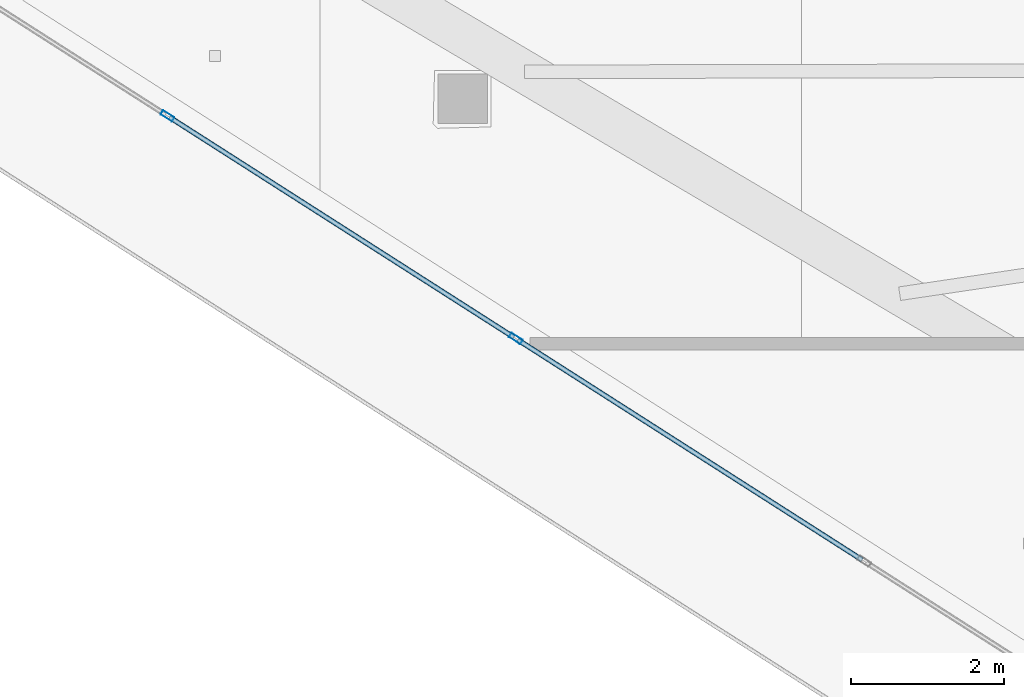
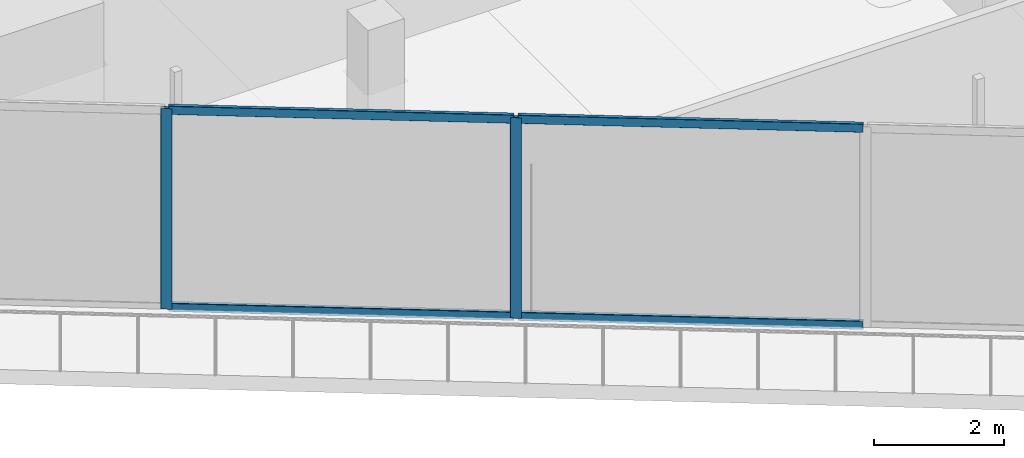
# One storey, part 4 of 39: 6 members, 1 element without a shape of its own.
"""IFC4 building model written with IfcOpenShell, lengths in metres."""

from ifc_helpers import new_model, si_unit, direction, frame, origin, origin_2d, place, context, subcontext, project, spatial, hollow_rectangle, extrude, material, layer, layer_set, material_profile, profile_set, type_object, element, aggregate, save


model = new_model("IFC4")

# Units and contexts
model_context = context("Model", 3, precision=1e-05, world=origin(), true_north=direction((0.0, 1.0)))
body_context = subcontext(model_context, "Body", "Model", "MODEL_VIEW")
ifc_project = project(units=[si_unit("LENGTHUNIT", "METRE"), si_unit("AREAUNIT", "SQUARE_METRE"), si_unit("VOLUMEUNIT", "CUBIC_METRE"), si_unit("PLANEANGLEUNIT", "RADIAN"), si_unit("MASSUNIT", "GRAM", prefix="KILO")], contexts=[model_context])

# Site, building, storey
site_placement = place(None, origin())
site = spatial("IfcSite", under=ifc_project, at=site_placement, CompositionType="ELEMENT")
building_placement = place(site_placement, origin())
building = spatial("IfcBuilding", under=site, at=building_placement, Name="Qorvath Tower", CompositionType="ELEMENT")
storey_placement = place(building_placement, frame((0.0, 0.0, 142.199951171875)))
storey = spatial("IfcBuildingStorey", under=building, at=storey_placement, Name="L32", CompositionType="ELEMENT", Elevation=142.199951171875)

# Curtain wall, members
ifc_material_1 = material(Name="Anodised aluminium and triple low-E glass", Category="aluminium")
ifc_layer = layer(ifc_material_1, 0.179931640625)
ifc_layer_set = layer_set([ifc_layer], Name="CW-SYS-3")
curtain_wall_type = type_object("IfcCurtainWallType", Name="CW-SYS-3", PredefinedType="NOTDEFINED", material=ifc_layer_set)
curtain_wall_placement = place(storey_placement, origin())
curtain_wall = element("IfcCurtainWall", 1, at=curtain_wall_placement, inside=storey, type_object=curtain_wall_type, Name="Curtain Wall CW-3 CW-T-L32-2.1", PredefinedType="NOTDEFINED")
ifc_material_2 = material(Name="Anodised aluminium 6063-T6", Category="aluminium")
ifc_material_profile_1 = material_profile(ifc_material_2, hollow_rectangle(XDim=0.06494140625, YDim=0.179931640625, WallThickness=0.00341796875, InnerFilletRadius=0.00341796875, OuterFilletRadius=0.007080078125, at=origin_2d()), Name="CWM 180x65")
ifc_profile_set_1 = profile_set([ifc_material_profile_1], Name="Anodised aluminium 6063-T6")
member_type_1 = type_object("IfcMemberType", Name="CWM-180", PredefinedType="MULLION", material=ifc_profile_set_1)
member_1_placement = place(storey_placement, frame((-52.434326171875, -6.64794921875, 0.0), z_axis=(0.0, 0.0, 1.0), x_axis=(0.53853296968, 0.842604438967, 0.0)))
member_1 = element("IfcMember", 2, at=member_1_placement, type_object=member_type_1, Name="CW-3 mullion 2", PredefinedType="MULLION", context=body_context, shape_type="SweptSolid", body=[
    extrude(hollow_rectangle(XDim=0.06494140625, YDim=0.179931640625, WallThickness=0.00341796875, InnerFilletRadius=0.00341796875, OuterFilletRadius=0.007080078125, at=origin_2d()), origin(), (0.0, 0.0, 1.0), 3.780029296875),
])
member_2_placement = place(storey_placement, frame((-47.883544921875, -9.556640625, 0.0), z_axis=(0.0, 0.0, 1.0), x_axis=(0.53853296968, 0.842604438967, 0.0)))
member_2 = element("IfcMember", 3, at=member_2_placement, type_object=member_type_1, Name="CW-3 mullion 3", PredefinedType="MULLION", context=body_context, shape_type="SweptSolid", body=[
    extrude(hollow_rectangle(XDim=0.06494140625, YDim=0.179931640625, WallThickness=0.00341796875, InnerFilletRadius=0.00341796875, OuterFilletRadius=0.007080078125, at=origin_2d()), origin(), (0.0, 0.0, 1.0), 3.780029296875),
])
ifc_material_3 = material(Name="Anodised aluminium 6063-T6", Category="aluminium")
ifc_material_profile_2 = material_profile(ifc_material_3, hollow_rectangle(XDim=0.06494140625, YDim=0.159912109375, WallThickness=0.00341796875, InnerFilletRadius=0.00341796875, OuterFilletRadius=0.007080078125, at=origin_2d()), Name="CWT 160x65")
ifc_profile_set_2 = profile_set([ifc_material_profile_2], Name="Anodised aluminium 6063-T6")
member_type_2 = type_object("IfcMemberType", Name="CWT-160", PredefinedType="USERDEFINED", material=ifc_profile_set_2)
member_3_placement = place(storey_placement, frame((-52.406982421875, -6.66552734375, 0.032470703125), z_axis=(0.842608601225, -0.538526457234, 0.0), x_axis=(0.538526457234, 0.842608601225, 0.0)))
member_3 = element("IfcMember", 4, at=member_3_placement, type_object=member_type_2, Name="CW-3 transom 2.1", ObjectType="TRANSOM", PredefinedType="USERDEFINED", context=body_context, shape_type="SweptSolid", body=[
    extrude(hollow_rectangle(XDim=0.06494140625, YDim=0.159912109375, WallThickness=0.00341796875, InnerFilletRadius=0.00341796875, OuterFilletRadius=0.007080078125, at=origin_2d()), origin(), (0.0, 0.0, 1.0), 5.3359375),
])
member_4_placement = place(storey_placement, frame((-52.406982421875, -6.66552734375, 3.74755859375), z_axis=(0.842608601225, -0.538526457234, 0.0), x_axis=(0.538526457234, 0.842608601225, 0.0)))
member_4 = element("IfcMember", 5, at=member_4_placement, type_object=member_type_2, Name="CW-3 transom 2.2", ObjectType="TRANSOM", PredefinedType="USERDEFINED", context=body_context, shape_type="SweptSolid", body=[
    extrude(hollow_rectangle(XDim=0.06494140625, YDim=0.159912109375, WallThickness=0.00341796875, InnerFilletRadius=0.00341796875, OuterFilletRadius=0.007080078125, at=origin_2d()), origin(), (0.0, 0.0, 1.0), 5.3359375),
])
member_5_placement = place(storey_placement, frame((-47.856201171875, -9.57421875, 0.032470703125), z_axis=(0.842608601225, -0.538526457234, 0.0), x_axis=(0.538526457234, 0.842608601225, 0.0)))
member_5 = element("IfcMember", 6, at=member_5_placement, type_object=member_type_2, Name="CW-3 transom 3.1", ObjectType="TRANSOM", PredefinedType="USERDEFINED", context=body_context, shape_type="SweptSolid", body=[
    extrude(hollow_rectangle(XDim=0.06494140625, YDim=0.159912109375, WallThickness=0.00341796875, InnerFilletRadius=0.00341796875, OuterFilletRadius=0.007080078125, at=origin_2d()), origin(), (0.0, 0.0, 1.0), 5.3359375),
])
member_6_placement = place(storey_placement, frame((-47.856201171875, -9.57421875, 3.74755859375), z_axis=(0.842608601225, -0.538526457234, 0.0), x_axis=(0.538526457234, 0.842608601225, 0.0)))
member_6 = element("IfcMember", 7, at=member_6_placement, type_object=member_type_2, Name="CW-3 transom 3.2", ObjectType="TRANSOM", PredefinedType="USERDEFINED", context=body_context, shape_type="SweptSolid", body=[
    extrude(hollow_rectangle(XDim=0.06494140625, YDim=0.159912109375, WallThickness=0.00341796875, InnerFilletRadius=0.00341796875, OuterFilletRadius=0.007080078125, at=origin_2d()), origin(), (0.0, 0.0, 1.0), 5.3359375),
])
aggregate(curtain_wall, [member_1, member_2, member_3, member_4, member_5, member_6])

save(model, "model.ifc")
